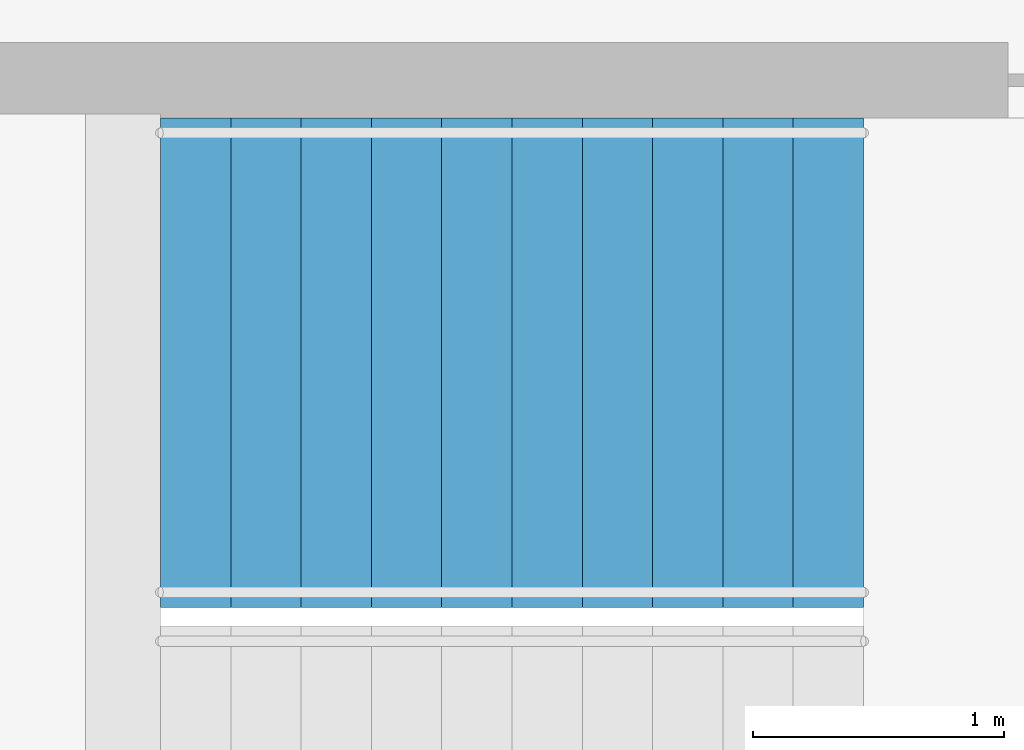
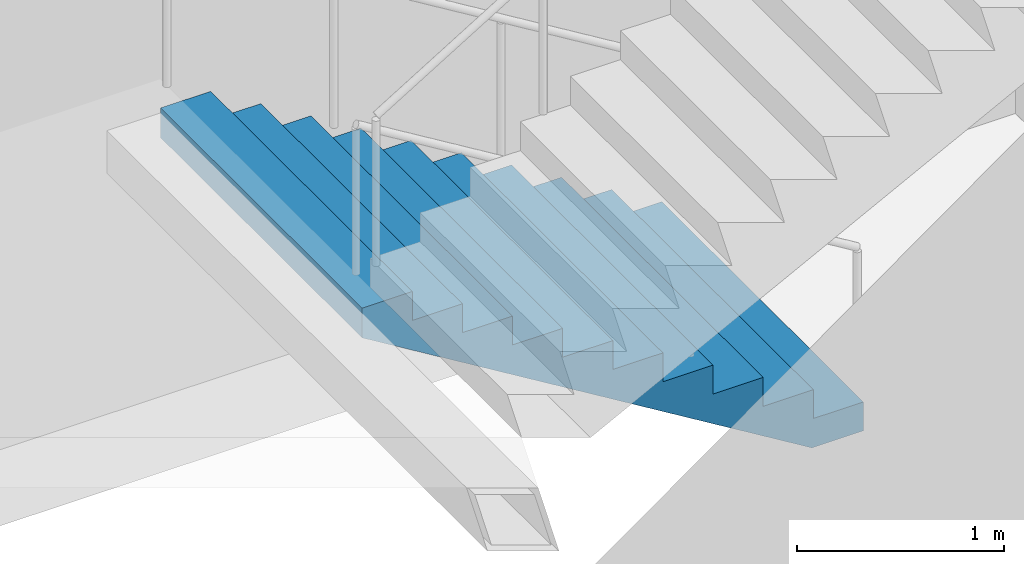
# One storey, part 23 of 25: 1 stair flight, 1 element without a shape of its own.
"""IFC4 building model written with IfcOpenShell, lengths in metres."""

from ifc_helpers import new_model, si_unit, direction, frame, origin, place, context, subcontext, project, spatial, triangles, material, type_object, element, aggregate, save


model = new_model("IFC4")

# Units and contexts
model_context = context("Model", 3, precision=1e-05, world=origin(), true_north=direction((0.0, 1.0)))
body_context = subcontext(model_context, "Body", "Model", "MODEL_VIEW")
ifc_project = project(units=[si_unit("LENGTHUNIT", "METRE"), si_unit("AREAUNIT", "SQUARE_METRE"), si_unit("VOLUMEUNIT", "CUBIC_METRE"), si_unit("PLANEANGLEUNIT", "RADIAN"), si_unit("MASSUNIT", "GRAM", prefix="KILO")], contexts=[model_context])

# Site, building, storey
site_placement = place(None, origin())
site = spatial("IfcSite", under=ifc_project, at=site_placement, CompositionType="ELEMENT")
building_placement = place(site_placement, origin())
building = spatial("IfcBuilding", under=site, at=building_placement, Name="Orbita Commons", CompositionType="ELEMENT")
storey_placement = place(building_placement, frame((0.0, 0.0, 99.39990234375)))
storey = spatial("IfcBuildingStorey", under=building, at=storey_placement, Name="L24", CompositionType="ELEMENT", Elevation=99.39990234375)

# Stair, stair flight
ifc_material_1 = material(Name="Precast concrete C40/50", Category="concrete")
stair_type = type_object("IfcStairType", Name="Exit stair S2 2 flights 11 risers 170", PredefinedType="HALF_TURN_STAIR", material=ifc_material_1)
stair_placement = place(storey_placement, origin())
stair = element("IfcStair", 1, at=stair_placement, inside=storey, type_object=stair_type, Name="Exit stair S2 L24", PredefinedType="HALF_TURN_STAIR")
ifc_material_2 = material(Name="Precast concrete C40/50", Category="concrete")
stair_flight_type = type_object("IfcStairFlightType", Name="Stair flight 11 risers 170 x 280", PredefinedType="STRAIGHT", material=ifc_material_2)
stair_flight_placement = place(storey_placement, frame((63.550048828125, 29.27490234375, 0.0), z_axis=(0.0, 0.0, 1.0), x_axis=(-1.0, 0.0, 0.0)))
stair_flight = element("IfcStairFlight", 2, at=stair_flight_placement, type_object=stair_flight_type, Name="S2 flight 1", NumberOfRisers=11, NumberOfTreads=10, PredefinedType="STRAIGHT", RiserHeight=0.170454545, TreadLength=0.28, context=body_context, shape_type="Tessellation", body=[
    triangles([(0.0, 0.974976, 0.0), (0.0, 0.974976, 0.021307), (0.0, 0.81248, 0.021307), (0.0, 0.81248, 0.0), (0.0, 0.649984, 0.021307), (0.0, 0.649984, 0.0), (0.0, 0.487488, 0.021307), (0.0, 0.487488, 0.0), (0.0, 0.324992, 0.021307), (0.0, 0.324992, 0.0), (0.0, 0.162496, 0.021307), (0.0, 0.162496, 0.0), (0.0, 0.0, 0.021307), (0.0, 0.0, 0.0), (0.0, -0.162496, 0.021307), (0.0, -0.162496, 0.0), (0.0, -0.324992, 0.021307), (0.0, -0.324992, 0.0), (0.0, -0.487488, 0.021307), (0.0, -0.487488, 0.0), (0.0, -0.649984, 0.021307), (0.0, -0.649984, 0.0), (0.0, -0.81248, 0.021307), (0.0, -0.81248, 0.0), (0.0, -0.974976, 0.021307), (0.0, -0.974976, 0.0), (0.0, 0.974976, 0.042614), (0.0, 0.81248, 0.042614), (0.0, 0.649984, 0.042614), (0.0, 0.487488, 0.042614), (0.0, 0.324992, 0.042614), (0.0, 0.162496, 0.042614), (0.0, 0.0, 0.042614), (0.0, -0.162496, 0.042614), (0.0, -0.324992, 0.042614), (0.0, -0.487488, 0.042614), (0.0, -0.649984, 0.042614), (0.0, -0.81248, 0.042614), (0.0, -0.974976, 0.042614), (0.0, 0.974976, 0.06392), (0.0, 0.81248, 0.06392), (0.0, 0.649984, 0.06392), (0.0, 0.487488, 0.06392), (0.0, 0.324992, 0.06392), (0.0, 0.162496, 0.06392), (0.0, 0.0, 0.06392), (0.0, -0.162496, 0.06392), (0.0, -0.324992, 0.06392), (0.0, -0.487488, 0.06392), (0.0, -0.649984, 0.06392), (0.0, -0.81248, 0.06392), (0.0, -0.974976, 0.06392), (0.0, 0.974976, 0.085227), (0.0, 0.81248, 0.085227), (0.0, 0.649984, 0.085227), (0.0, 0.487488, 0.085227), (0.0, 0.324992, 0.085227), (0.0, 0.162496, 0.085227), (0.0, 0.0, 0.085227), (0.0, -0.162496, 0.085227), (0.0, -0.324992, 0.085227), (0.0, -0.487488, 0.085227), (0.0, -0.649984, 0.085227), (0.0, -0.81248, 0.085227), (0.0, -0.974976, 0.085227), (0.0, 0.974976, 0.106534), (0.0, 0.81248, 0.106534), (0.0, 0.649984, 0.106534), (0.0, 0.487488, 0.106534), (0.0, 0.324992, 0.106534), (0.0, 0.162496, 0.106534), (0.0, 0.0, 0.106534), (0.0, -0.162496, 0.106534), (0.0, -0.324992, 0.106534), (0.0, -0.487488, 0.106534), (0.0, -0.649984, 0.106534), (0.0, -0.81248, 0.106534), (0.0, -0.974976, 0.106534), (0.0, 0.974976, 0.127841), (0.0, 0.81248, 0.127841), (0.0, 0.649984, 0.127841), (0.0, 0.487488, 0.127841), (0.0, 0.324992, 0.127841), (0.0, 0.162496, 0.127841), (0.0, 0.0, 0.127841), (0.0, -0.162496, 0.127841), (0.0, -0.324992, 0.127841), (0.0, -0.487488, 0.127841), (0.0, -0.649984, 0.127841), (0.0, -0.81248, 0.127841), (0.0, -0.974976, 0.127841), (0.0, 0.974976, 0.149148), (0.0, 0.81248, 0.149148), (0.0, 0.649984, 0.149148), (0.0, 0.487488, 0.149148), (0.0, 0.324992, 0.149148), (0.0, 0.162496, 0.149148), (0.0, 0.0, 0.149148), (0.0, -0.162496, 0.149148), (0.0, -0.324992, 0.149148), (0.0, -0.487488, 0.149148), (0.0, -0.649984, 0.149148), (0.0, -0.81248, 0.149148), (0.0, -0.974976, 0.149148), (0.0, 0.974976, 0.170455), (0.0, 0.81248, 0.170455), (0.0, 0.649984, 0.170455), (0.0, 0.487488, 0.170455), (0.0, 0.324992, 0.170455), (0.0, 0.162496, 0.170455), (0.0, 0.0, 0.170455), (0.0, -0.162496, 0.170455), (0.0, -0.324992, 0.170455), (0.0, -0.487488, 0.170455), (0.0, -0.649984, 0.170455), (0.0, -0.81248, 0.170455), (0.0, -0.974976, 0.170455), (0.28, 0.974976, 0.170455), (0.28, 0.81248, 0.170455), (0.28, 0.649984, 0.170455), (0.28, 0.487488, 0.170455), (0.28, 0.324992, 0.170455), (0.28, 0.162496, 0.170455), (0.28, 0.0, 0.170455), (0.28, -0.162496, 0.170455), (0.28, -0.324992, 0.170455), (0.28, -0.487488, 0.170455), (0.28, -0.649984, 0.170455), (0.28, -0.81248, 0.170455), (0.28, -0.974976, 0.170455), (0.28, 0.974976, 0.340909), (0.28, 0.81248, 0.340909), (0.28, 0.649984, 0.340909), (0.28, 0.487488, 0.340909), (0.28, 0.324992, 0.340909), (0.28, 0.162496, 0.340909), (0.28, 0.0, 0.340909), (0.28, -0.162496, 0.340909), (0.28, -0.324992, 0.340909), (0.28, -0.487488, 0.340909), (0.28, -0.649984, 0.340909), (0.28, -0.81248, 0.340909), (0.28, -0.974976, 0.340909), (0.56, 0.974976, 0.340909), (0.56, 0.81248, 0.340909), (0.56, 0.649984, 0.340909), (0.56, 0.487488, 0.340909), (0.56, 0.324992, 0.340909), (0.56, 0.162496, 0.340909), (0.56, 0.0, 0.340909), (0.56, -0.162496, 0.340909), (0.56, -0.324992, 0.340909), (0.56, -0.487488, 0.340909), (0.56, -0.649984, 0.340909), (0.56, -0.81248, 0.340909), (0.56, -0.974976, 0.340909), (0.56, 0.974976, 0.511364), (0.56, 0.81248, 0.511364), (0.56, 0.649984, 0.511364), (0.56, 0.487488, 0.511364), (0.56, 0.324992, 0.511364), (0.56, 0.162496, 0.511364), (0.56, 0.0, 0.511364), (0.56, -0.162496, 0.511364), (0.56, -0.324992, 0.511364), (0.56, -0.487488, 0.511364), (0.56, -0.649984, 0.511364), (0.56, -0.81248, 0.511364), (0.56, -0.974976, 0.511364), (0.84, 0.974976, 0.511364), (0.84, 0.81248, 0.511364), (0.84, 0.649984, 0.511364), (0.84, 0.487488, 0.511364), (0.84, 0.324992, 0.511364), (0.84, 0.162496, 0.511364), (0.84, 0.0, 0.511364), (0.84, -0.162496, 0.511364), (0.84, -0.324992, 0.511364), (0.84, -0.487488, 0.511364), (0.84, -0.649984, 0.511364), (0.84, -0.81248, 0.511364), (0.84, -0.974976, 0.511364), (0.84, 0.974976, 0.681818), (0.84, 0.81248, 0.681818), (0.84, 0.649984, 0.681818), (0.84, 0.487488, 0.681818), (0.84, 0.324992, 0.681818), (0.84, 0.162496, 0.681818), (0.84, 0.0, 0.681818), (0.84, -0.162496, 0.681818), (0.84, -0.324992, 0.681818), (0.84, -0.487488, 0.681818), (0.84, -0.649984, 0.681818), (0.84, -0.81248, 0.681818), (0.84, -0.974976, 0.681818), (1.12, 0.974976, 0.681818), (1.12, 0.81248, 0.681818), (1.12, 0.649984, 0.681818), (1.12, 0.487488, 0.681818), (1.12, 0.324992, 0.681818), (1.12, 0.162496, 0.681818), (1.12, 0.0, 0.681818), (1.12, -0.162496, 0.681818), (1.12, -0.324992, 0.681818), (1.12, -0.487488, 0.681818), (1.12, -0.649984, 0.681818), (1.12, -0.81248, 0.681818), (1.12, -0.974976, 0.681818), (1.12, 0.974976, 0.852273), (1.12, 0.81248, 0.852273), (1.12, 0.649984, 0.852273), (1.12, 0.487488, 0.852273), (1.12, 0.324992, 0.852273), (1.12, 0.162496, 0.852273), (1.12, 0.0, 0.852273), (1.12, -0.162496, 0.852273), (1.12, -0.324992, 0.852273), (1.12, -0.487488, 0.852273), (1.12, -0.649984, 0.852273), (1.12, -0.81248, 0.852273), (1.12, -0.974976, 0.852273), (1.4, 0.974976, 0.852273), (1.4, 0.81248, 0.852273), (1.4, 0.649984, 0.852273), (1.4, 0.487488, 0.852273), (1.4, 0.324992, 0.852273), (1.4, 0.162496, 0.852273), (1.4, 0.0, 0.852273), (1.4, -0.162496, 0.852273), (1.4, -0.324992, 0.852273), (1.4, -0.487488, 0.852273), (1.4, -0.649984, 0.852273), (1.4, -0.81248, 0.852273), (1.4, -0.974976, 0.852273), (1.4, 0.974976, 1.022727), (1.4, 0.81248, 1.022727), (1.4, 0.649984, 1.022727), (1.4, 0.487488, 1.022727), (1.4, 0.324992, 1.022727), (1.4, 0.162496, 1.022727), (1.4, 0.0, 1.022727), (1.4, -0.162496, 1.022727), (1.4, -0.324992, 1.022727), (1.4, -0.487488, 1.022727), (1.4, -0.649984, 1.022727), (1.4, -0.81248, 1.022727), (1.4, -0.974976, 1.022727), (1.68, 0.974976, 1.022727), (1.68, 0.81248, 1.022727), (1.68, 0.649984, 1.022727), (1.68, 0.487488, 1.022727), (1.68, 0.324992, 1.022727), (1.68, 0.162496, 1.022727), (1.68, 0.0, 1.022727), (1.68, -0.162496, 1.022727), (1.68, -0.324992, 1.022727), (1.68, -0.487488, 1.022727), (1.68, -0.649984, 1.022727), (1.68, -0.81248, 1.022727), (1.68, -0.974976, 1.022727), (1.68, 0.974976, 1.193182), (1.68, 0.81248, 1.193182), (1.68, 0.649984, 1.193182), (1.68, 0.487488, 1.193182), (1.68, 0.324992, 1.193182), (1.68, 0.162496, 1.193182), (1.68, 0.0, 1.193182), (1.68, -0.162496, 1.193182), (1.68, -0.324992, 1.193182), (1.68, -0.487488, 1.193182), (1.68, -0.649984, 1.193182), (1.68, -0.81248, 1.193182), (1.68, -0.974976, 1.193182), (1.96, 0.974976, 1.193182), (1.96, 0.81248, 1.193182), (1.96, 0.649984, 1.193182), (1.96, 0.487488, 1.193182), (1.96, 0.324992, 1.193182), (1.96, 0.162496, 1.193182), (1.96, 0.0, 1.193182), (1.96, -0.162496, 1.193182), (1.96, -0.324992, 1.193182), (1.96, -0.487488, 1.193182), (1.96, -0.649984, 1.193182), (1.96, -0.81248, 1.193182), (1.96, -0.974976, 1.193182), (1.96, 0.974976, 1.363636), (1.96, 0.81248, 1.363636), (1.96, 0.649984, 1.363636), (1.96, 0.487488, 1.363636), (1.96, 0.324992, 1.363636), (1.96, 0.162496, 1.363636), (1.96, 0.0, 1.363636), (1.96, -0.162496, 1.363636), (1.96, -0.324992, 1.363636), (1.96, -0.487488, 1.363636), (1.96, -0.649984, 1.363636), (1.96, -0.81248, 1.363636), (1.96, -0.974976, 1.363636), (2.24, 0.974976, 1.363636), (2.24, 0.81248, 1.363636), (2.24, 0.649984, 1.363636), (2.24, 0.487488, 1.363636), (2.24, 0.324992, 1.363636), (2.24, 0.162496, 1.363636), (2.24, 0.0, 1.363636), (2.24, -0.162496, 1.363636), (2.24, -0.324992, 1.363636), (2.24, -0.487488, 1.363636), (2.24, -0.649984, 1.363636), (2.24, -0.81248, 1.363636), (2.24, -0.974976, 1.363636), (2.24, 0.974976, 1.534091), (2.24, 0.81248, 1.534091), (2.24, 0.649984, 1.534091), (2.24, 0.487488, 1.534091), (2.24, 0.324992, 1.534091), (2.24, 0.162496, 1.534091), (2.24, 0.0, 1.534091), (2.24, -0.162496, 1.534091), (2.24, -0.324992, 1.534091), (2.24, -0.487488, 1.534091), (2.24, -0.649984, 1.534091), (2.24, -0.81248, 1.534091), (2.24, -0.974976, 1.534091), (2.52, 0.974976, 1.534091), (2.52, 0.81248, 1.534091), (2.52, 0.649984, 1.534091), (2.52, 0.487488, 1.534091), (2.52, 0.324992, 1.534091), (2.52, 0.162496, 1.534091), (2.52, 0.0, 1.534091), (2.52, -0.162496, 1.534091), (2.52, -0.324992, 1.534091), (2.52, -0.487488, 1.534091), (2.52, -0.649984, 1.534091), (2.52, -0.81248, 1.534091), (2.52, -0.974976, 1.534091), (2.52, 0.974976, 1.704545), (2.52, 0.81248, 1.704545), (2.52, 0.649984, 1.704545), (2.52, 0.487488, 1.704545), (2.52, 0.324992, 1.704545), (2.52, 0.162496, 1.704545), (2.52, 0.0, 1.704545), (2.52, -0.162496, 1.704545), (2.52, -0.324992, 1.704545), (2.52, -0.487488, 1.704545), (2.52, -0.649984, 1.704545), (2.52, -0.81248, 1.704545), (2.52, -0.974976, 1.704545), (2.8, 0.974976, 1.704545), (2.8, 0.81248, 1.704545), (2.8, 0.649984, 1.704545), (2.8, 0.487488, 1.704545), (2.8, 0.324992, 1.704545), (2.8, 0.162496, 1.704545), (2.8, 0.0, 1.704545), (2.8, -0.162496, 1.704545), (2.8, -0.324992, 1.704545), (2.8, -0.487488, 1.704545), (2.8, -0.649984, 1.704545), (2.8, -0.81248, 1.704545), (2.8, -0.974976, 1.704545), (2.8, 0.974976, 1.682609), (2.8, 0.81248, 1.682609), (2.8, 0.649984, 1.682609), (2.8, 0.487488, 1.682609), (2.8, 0.324992, 1.682609), (2.8, 0.162496, 1.682609), (2.8, 0.0, 1.682609), (2.8, -0.162496, 1.682609), (2.8, -0.324992, 1.682609), (2.8, -0.487488, 1.682609), (2.8, -0.649984, 1.682609), (2.8, -0.81248, 1.682609), (2.8, -0.974976, 1.682609), (2.8, 0.974976, 1.660672), (2.8, 0.81248, 1.660672), (2.8, 0.649984, 1.660672), (2.8, 0.487488, 1.660672), (2.8, 0.324992, 1.660672), (2.8, 0.162496, 1.660672), (2.8, 0.0, 1.660672), (2.8, -0.162496, 1.660672), (2.8, -0.324992, 1.660672), (2.8, -0.487488, 1.660672), (2.8, -0.649984, 1.660672), (2.8, -0.81248, 1.660672), (2.8, -0.974976, 1.660672), (2.8, 0.974976, 1.638735), (2.8, 0.81248, 1.638735), (2.8, 0.649984, 1.638735), (2.8, 0.487488, 1.638735), (2.8, 0.324992, 1.638735), (2.8, 0.162496, 1.638735), (2.8, 0.0, 1.638735), (2.8, -0.162496, 1.638735), (2.8, -0.324992, 1.638735), (2.8, -0.487488, 1.638735), (2.8, -0.649984, 1.638735), (2.8, -0.81248, 1.638735), (2.8, -0.974976, 1.638735), (2.8, 0.974976, 1.616798), (2.8, 0.81248, 1.616798), (2.8, 0.649984, 1.616798), (2.8, 0.487488, 1.616798), (2.8, 0.324992, 1.616798), (2.8, 0.162496, 1.616798), (2.8, 0.0, 1.616798), (2.8, -0.162496, 1.616798), (2.8, -0.324992, 1.616798), (2.8, -0.487488, 1.616798), (2.8, -0.649984, 1.616798), (2.8, -0.81248, 1.616798), (2.8, -0.974976, 1.616798), (2.8, 0.974976, 1.594861), (2.8, 0.81248, 1.594861), (2.8, 0.649984, 1.594861), (2.8, 0.487488, 1.594861), (2.8, 0.324992, 1.594861), (2.8, 0.162496, 1.594861), (2.8, 0.0, 1.594861), (2.8, -0.162496, 1.594861), (2.8, -0.324992, 1.594861), (2.8, -0.487488, 1.594861), (2.8, -0.649984, 1.594861), (2.8, -0.81248, 1.594861), (2.8, -0.974976, 1.594861), (2.8, 0.974976, 1.572925), (2.8, 0.81248, 1.572925), (2.8, 0.649984, 1.572925), (2.8, 0.487488, 1.572925), (2.8, 0.324992, 1.572925), (2.8, 0.162496, 1.572925), (2.8, 0.0, 1.572925), (2.8, -0.162496, 1.572925), (2.8, -0.324992, 1.572925), (2.8, -0.487488, 1.572925), (2.8, -0.649984, 1.572925), (2.8, -0.81248, 1.572925), (2.8, -0.974976, 1.572925), (2.8, 0.974976, 1.550988), (2.8, 0.81248, 1.550988), (2.8, 0.649984, 1.550988), (2.8, 0.487488, 1.550988), (2.8, 0.324992, 1.550988), (2.8, 0.162496, 1.550988), (2.8, 0.0, 1.550988), (2.8, -0.162496, 1.550988), (2.8, -0.324992, 1.550988), (2.8, -0.487488, 1.550988), (2.8, -0.649984, 1.550988), (2.8, -0.81248, 1.550988), (2.8, -0.974976, 1.550988), (2.8, 0.974976, 1.529051), (2.8, 0.81248, 1.529051), (2.8, 0.649984, 1.529051), (2.8, 0.487488, 1.529051), (2.8, 0.324992, 1.529051), (2.8, 0.162496, 1.529051), (2.8, 0.0, 1.529051), (2.8, -0.162496, 1.529051), (2.8, -0.324992, 1.529051), (2.8, -0.487488, 1.529051), (2.8, -0.649984, 1.529051), (2.8, -0.81248, 1.529051), (2.8, -0.974976, 1.529051), (0.288279, 0.974976, 0.0), (0.288279, 0.81248, 0.0), (0.288279, 0.649984, 0.0), (0.288279, 0.487488, 0.0), (0.288279, 0.324992, 0.0), (0.288279, 0.162496, 0.0), (0.288279, 0.0, 0.0), (0.288279, -0.162496, 0.0), (0.288279, -0.324992, 0.0), (0.288279, -0.487488, 0.0), (0.288279, -0.649984, 0.0), (0.288279, -0.81248, 0.0), (0.288279, -0.974976, 0.0)], [[3, 2, 1], [4, 3, 1], [5, 3, 4], [6, 5, 4], [7, 5, 6], [8, 7, 6], [9, 7, 8], [10, 9, 8], [11, 9, 10], [12, 11, 10], [13, 11, 12], [14, 13, 12], [15, 13, 14], [16, 15, 14], [17, 15, 16], [18, 17, 16], [19, 17, 18], [20, 19, 18], [21, 19, 20], [22, 21, 20], [23, 21, 22], [24, 23, 22], [25, 23, 24], [26, 25, 24], [28, 27, 2], [3, 28, 2], [29, 28, 3], [5, 29, 3], [30, 29, 5], [7, 30, 5], [31, 30, 7], [9, 31, 7], [32, 31, 9], [11, 32, 9], [33, 32, 11], [13, 33, 11], [34, 33, 13], [15, 34, 13], [35, 34, 15], [17, 35, 15], [36, 35, 17], [19, 36, 17], [37, 36, 19], [21, 37, 19], [38, 37, 21], [23, 38, 21], [39, 38, 23], [25, 39, 23], [41, 40, 27], [28, 41, 27], [42, 41, 28], [29, 42, 28], [43, 42, 29], [30, 43, 29], [44, 43, 30], [31, 44, 30], [45, 44, 31], [32, 45, 31], [46, 45, 32], [33, 46, 32], [47, 46, 33], [34, 47, 33], [48, 47, 34], [35, 48, 34], [49, 48, 35], [36, 49, 35], [50, 49, 36], [37, 50, 36], [51, 50, 37], [38, 51, 37], [52, 51, 38], [39, 52, 38], [54, 53, 40], [41, 54, 40], [55, 54, 41], [42, 55, 41], [56, 55, 42], [43, 56, 42], [57, 56, 43], [44, 57, 43], [58, 57, 44], [45, 58, 44], [59, 58, 45], [46, 59, 45], [60, 59, 46], [47, 60, 46], [61, 60, 47], [48, 61, 47], [62, 61, 48], [49, 62, 48], [63, 62, 49], [50, 63, 49], [64, 63, 50], [51, 64, 50], [65, 64, 51], [52, 65, 51], [67, 66, 53], [54, 67, 53], [68, 67, 54], [55, 68, 54], [69, 68, 55], [56, 69, 55], [70, 69, 56], [57, 70, 56], [71, 70, 57], [58, 71, 57], [72, 71, 58], [59, 72, 58], [73, 72, 59], [60, 73, 59], [74, 73, 60], [61, 74, 60], [75, 74, 61], [62, 75, 61], [76, 75, 62], [63, 76, 62], [77, 76, 63], [64, 77, 63], [78, 77, 64], [65, 78, 64], [80, 79, 66], [67, 80, 66], [81, 80, 67], [68, 81, 67], [82, 81, 68], [69, 82, 68], [83, 82, 69], [70, 83, 69], [84, 83, 70], [71, 84, 70], [85, 84, 71], [72, 85, 71], [86, 85, 72], [73, 86, 72], [87, 86, 73], [74, 87, 73], [88, 87, 74], [75, 88, 74], [89, 88, 75], [76, 89, 75], [90, 89, 76], [77, 90, 76], [91, 90, 77], [78, 91, 77], [93, 92, 79], [80, 93, 79], [94, 93, 80], [81, 94, 80], [95, 94, 81], [82, 95, 81], [96, 95, 82], [83, 96, 82], [97, 96, 83], [84, 97, 83], [98, 97, 84], [85, 98, 84], [99, 98, 85], [86, 99, 85], [100, 99, 86], [87, 100, 86], [101, 100, 87], [88, 101, 87], [102, 101, 88], [89, 102, 88], [103, 102, 89], [90, 103, 89], [104, 103, 90], [91, 104, 90], [106, 105, 92], [93, 106, 92], [107, 106, 93], [94, 107, 93], [108, 107, 94], [95, 108, 94], [109, 108, 95], [96, 109, 95], [110, 109, 96], [97, 110, 96], [111, 110, 97], [98, 111, 97], [112, 111, 98], [99, 112, 98], [113, 112, 99], [100, 113, 99], [114, 113, 100], [101, 114, 100], [115, 114, 101], [102, 115, 101], [116, 115, 102], [103, 116, 102], [117, 116, 103], [104, 117, 103], [119, 118, 105], [106, 119, 105], [120, 119, 106], [107, 120, 106], [121, 120, 107], [108, 121, 107], [122, 121, 108], [109, 122, 108], [123, 122, 109], [110, 123, 109], [124, 123, 110], [111, 124, 110], [125, 124, 111], [112, 125, 111], [126, 125, 112], [113, 126, 112], [127, 126, 113], [114, 127, 113], [128, 127, 114], [115, 128, 114], [129, 128, 115], [116, 129, 115], [130, 129, 116], [117, 130, 116], [132, 131, 118], [119, 132, 118], [133, 132, 119], [120, 133, 119], [134, 133, 120], [121, 134, 120], [135, 134, 121], [122, 135, 121], [136, 135, 122], [123, 136, 122], [137, 136, 123], [124, 137, 123], [138, 137, 124], [125, 138, 124], [139, 138, 125], [126, 139, 125], [140, 139, 126], [127, 140, 126], [141, 140, 127], [128, 141, 127], [142, 141, 128], [129, 142, 128], [143, 142, 129], [130, 143, 129], [145, 144, 131], [132, 145, 131], [146, 145, 132], [133, 146, 132], [147, 146, 133], [134, 147, 133], [148, 147, 134], [135, 148, 134], [149, 148, 135], [136, 149, 135], [150, 149, 136], [137, 150, 136], [151, 150, 137], [138, 151, 137], [152, 151, 138], [139, 152, 138], [153, 152, 139], [140, 153, 139], [154, 153, 140], [141, 154, 140], [155, 154, 141], [142, 155, 141], [156, 155, 142], [143, 156, 142], [158, 157, 144], [145, 158, 144], [159, 158, 145], [146, 159, 145], [160, 159, 146], [147, 160, 146], [161, 160, 147], [148, 161, 147], [162, 161, 148], [149, 162, 148], [163, 162, 149], [150, 163, 149], [164, 163, 150], [151, 164, 150], [165, 164, 151], [152, 165, 151], [166, 165, 152], [153, 166, 152], [167, 166, 153], [154, 167, 153], [168, 167, 154], [155, 168, 154], [169, 168, 155], [156, 169, 155], [171, 170, 157], [158, 171, 157], [172, 171, 158], [159, 172, 158], [173, 172, 159], [160, 173, 159], [174, 173, 160], [161, 174, 160], [175, 174, 161], [162, 175, 161], [176, 175, 162], [163, 176, 162], [177, 176, 163], [164, 177, 163], [178, 177, 164], [165, 178, 164], [179, 178, 165], [166, 179, 165], [180, 179, 166], [167, 180, 166], [181, 180, 167], [168, 181, 167], [182, 181, 168], [169, 182, 168], [184, 183, 170], [171, 184, 170], [185, 184, 171], [172, 185, 171], [186, 185, 172], [173, 186, 172], [187, 186, 173], [174, 187, 173], [188, 187, 174], [175, 188, 174], [189, 188, 175], [176, 189, 175], [190, 189, 176], [177, 190, 176], [191, 190, 177], [178, 191, 177], [192, 191, 178], [179, 192, 178], [193, 192, 179], [180, 193, 179], [194, 193, 180], [181, 194, 180], [195, 194, 181], [182, 195, 181], [197, 196, 183], [184, 197, 183], [198, 197, 184], [185, 198, 184], [199, 198, 185], [186, 199, 185], [200, 199, 186], [187, 200, 186], [201, 200, 187], [188, 201, 187], [202, 201, 188], [189, 202, 188], [203, 202, 189], [190, 203, 189], [204, 203, 190], [191, 204, 190], [205, 204, 191], [192, 205, 191], [206, 205, 192], [193, 206, 192], [207, 206, 193], [194, 207, 193], [208, 207, 194], [195, 208, 194], [210, 209, 196], [197, 210, 196], [211, 210, 197], [198, 211, 197], [212, 211, 198], [199, 212, 198], [213, 212, 199], [200, 213, 199], [214, 213, 200], [201, 214, 200], [215, 214, 201], [202, 215, 201], [216, 215, 202], [203, 216, 202], [217, 216, 203], [204, 217, 203], [218, 217, 204], [205, 218, 204], [219, 218, 205], [206, 219, 205], [220, 219, 206], [207, 220, 206], [221, 220, 207], [208, 221, 207], [223, 222, 209], [210, 223, 209], [224, 223, 210], [211, 224, 210], [225, 224, 211], [212, 225, 211], [226, 225, 212], [213, 226, 212], [227, 226, 213], [214, 227, 213], [228, 227, 214], [215, 228, 214], [229, 228, 215], [216, 229, 215], [230, 229, 216], [217, 230, 216], [231, 230, 217], [218, 231, 217], [232, 231, 218], [219, 232, 218], [233, 232, 219], [220, 233, 219], [234, 233, 220], [221, 234, 220], [236, 235, 222], [223, 236, 222], [237, 236, 223], [224, 237, 223], [238, 237, 224], [225, 238, 224], [239, 238, 225], [226, 239, 225], [240, 239, 226], [227, 240, 226], [241, 240, 227], [228, 241, 227], [242, 241, 228], [229, 242, 228], [243, 242, 229], [230, 243, 229], [244, 243, 230], [231, 244, 230], [245, 244, 231], [232, 245, 231], [246, 245, 232], [233, 246, 232], [247, 246, 233], [234, 247, 233], [249, 248, 235], [236, 249, 235], [250, 249, 236], [237, 250, 236], [251, 250, 237], [238, 251, 237], [252, 251, 238], [239, 252, 238], [253, 252, 239], [240, 253, 239], [254, 253, 240], [241, 254, 240], [255, 254, 241], [242, 255, 241], [256, 255, 242], [243, 256, 242], [257, 256, 243], [244, 257, 243], [258, 257, 244], [245, 258, 244], [259, 258, 245], [246, 259, 245], [260, 259, 246], [247, 260, 246], [262, 261, 248], [249, 262, 248], [263, 262, 249], [250, 263, 249], [264, 263, 250], [251, 264, 250], [265, 264, 251], [252, 265, 251], [266, 265, 252], [253, 266, 252], [267, 266, 253], [254, 267, 253], [268, 267, 254], [255, 268, 254], [269, 268, 255], [256, 269, 255], [270, 269, 256], [257, 270, 256], [271, 270, 257], [258, 271, 257], [272, 271, 258], [259, 272, 258], [273, 272, 259], [260, 273, 259], [275, 274, 261], [262, 275, 261], [276, 275, 262], [263, 276, 262], [277, 276, 263], [264, 277, 263], [278, 277, 264], [265, 278, 264], [279, 278, 265], [266, 279, 265], [280, 279, 266], [267, 280, 266], [281, 280, 267], [268, 281, 267], [282, 281, 268], [269, 282, 268], [283, 282, 269], [270, 283, 269], [284, 283, 270], [271, 284, 270], [285, 284, 271], [272, 285, 271], [286, 285, 272], [273, 286, 272], [288, 287, 274], [275, 288, 274], [289, 288, 275], [276, 289, 275], [290, 289, 276], [277, 290, 276], [291, 290, 277], [278, 291, 277], [292, 291, 278], [279, 292, 278], [293, 292, 279], [280, 293, 279], [294, 293, 280], [281, 294, 280], [295, 294, 281], [282, 295, 281], [296, 295, 282], [283, 296, 282], [297, 296, 283], [284, 297, 283], [298, 297, 284], [285, 298, 284], [299, 298, 285], [286, 299, 285], [301, 300, 287], [288, 301, 287], [302, 301, 288], [289, 302, 288], [303, 302, 289], [290, 303, 289], [304, 303, 290], [291, 304, 290], [305, 304, 291], [292, 305, 291], [306, 305, 292], [293, 306, 292], [307, 306, 293], [294, 307, 293], [308, 307, 294], [295, 308, 294], [309, 308, 295], [296, 309, 295], [310, 309, 296], [297, 310, 296], [311, 310, 297], [298, 311, 297], [312, 311, 298], [299, 312, 298], [314, 313, 300], [301, 314, 300], [315, 314, 301], [302, 315, 301], [316, 315, 302], [303, 316, 302], [317, 316, 303], [304, 317, 303], [318, 317, 304], [305, 318, 304], [319, 318, 305], [306, 319, 305], [320, 319, 306], [307, 320, 306], [321, 320, 307], [308, 321, 307], [322, 321, 308], [309, 322, 308], [323, 322, 309], [310, 323, 309], [324, 323, 310], [311, 324, 310], [325, 324, 311], [312, 325, 311], [327, 326, 313], [314, 327, 313], [328, 327, 314], [315, 328, 314], [329, 328, 315], [316, 329, 315], [330, 329, 316], [317, 330, 316], [331, 330, 317], [318, 331, 317], [332, 331, 318], [319, 332, 318], [333, 332, 319], [320, 333, 319], [334, 333, 320], [321, 334, 320], [335, 334, 321], [322, 335, 321], [336, 335, 322], [323, 336, 322], [337, 336, 323], [324, 337, 323], [338, 337, 324], [325, 338, 324], [340, 339, 326], [327, 340, 326], [341, 340, 327], [328, 341, 327], [342, 341, 328], [329, 342, 328], [343, 342, 329], [330, 343, 329], [344, 343, 330], [331, 344, 330], [345, 344, 331], [332, 345, 331], [346, 345, 332], [333, 346, 332], [347, 346, 333], [334, 347, 333], [348, 347, 334], [335, 348, 334], [349, 348, 335], [336, 349, 335], [350, 349, 336], [337, 350, 336], [351, 350, 337], [338, 351, 337], [353, 352, 339], [340, 353, 339], [354, 353, 340], [341, 354, 340], [355, 354, 341], [342, 355, 341], [356, 355, 342], [343, 356, 342], [357, 356, 343], [344, 357, 343], [358, 357, 344], [345, 358, 344], [359, 358, 345], [346, 359, 345], [360, 359, 346], [347, 360, 346], [361, 360, 347], [348, 361, 347], [362, 361, 348], [349, 362, 348], [363, 362, 349], [350, 363, 349], [364, 363, 350], [351, 364, 350], [366, 365, 352], [353, 366, 352], [367, 366, 353], [354, 367, 353], [368, 367, 354], [355, 368, 354], [369, 368, 355], [356, 369, 355], [370, 369, 356], [357, 370, 356], [371, 370, 357], [358, 371, 357], [372, 371, 358], [359, 372, 358], [373, 372, 359], [360, 373, 359], [374, 373, 360], [361, 374, 360], [375, 374, 361], [362, 375, 361], [376, 375, 362], [363, 376, 362], [377, 376, 363], [364, 377, 363], [379, 378, 365], [366, 379, 365], [380, 379, 366], [367, 380, 366], [381, 380, 367], [368, 381, 367], [382, 381, 368], [369, 382, 368], [383, 382, 369], [370, 383, 369], [384, 383, 370], [371, 384, 370], [385, 384, 371], [372, 385, 371], [386, 385, 372], [373, 386, 372], [387, 386, 373], [374, 387, 373], [388, 387, 374], [375, 388, 374], [389, 388, 375], [376, 389, 375], [390, 389, 376], [377, 390, 376], [392, 391, 378], [379, 392, 378], [393, 392, 379], [380, 393, 379], [394, 393, 380], [381, 394, 380], [395, 394, 381], [382, 395, 381], [396, 395, 382], [383, 396, 382], [397, 396, 383], [384, 397, 383], [398, 397, 384], [385, 398, 384], [399, 398, 385], [386, 399, 385], [400, 399, 386], [387, 400, 386], [401, 400, 387], [388, 401, 387], [402, 401, 388], [389, 402, 388], [403, 402, 389], [390, 403, 389], [405, 404, 391], [392, 405, 391], [406, 405, 392], [393, 406, 392], [407, 406, 393], [394, 407, 393], [408, 407, 394], [395, 408, 394], [409, 408, 395], [396, 409, 395], [410, 409, 396], [397, 410, 396], [411, 410, 397], [398, 411, 397], [412, 411, 398], [399, 412, 398], [413, 412, 399], [400, 413, 399], [414, 413, 400], [401, 414, 400], [415, 414, 401], [402, 415, 401], [416, 415, 402], [403, 416, 402], [418, 417, 404], [405, 418, 404], [419, 418, 405], [406, 419, 405], [420, 419, 406], [407, 420, 406], [421, 420, 407], [408, 421, 407], [422, 421, 408], [409, 422, 408], [423, 422, 409], [410, 423, 409], [424, 423, 410], [411, 424, 410], [425, 424, 411], [412, 425, 411], [426, 425, 412], [413, 426, 412], [427, 426, 413], [414, 427, 413], [428, 427, 414], [415, 428, 414], [429, 428, 415], [416, 429, 415], [431, 430, 417], [418, 431, 417], [432, 431, 418], [419, 432, 418], [433, 432, 419], [420, 433, 419], [434, 433, 420], [421, 434, 420], [435, 434, 421], [422, 435, 421], [436, 435, 422], [423, 436, 422], [437, 436, 423], [424, 437, 423], [438, 437, 424], [425, 438, 424], [439, 438, 425], [426, 439, 425], [440, 439, 426], [427, 440, 426], [441, 440, 427], [428, 441, 427], [442, 441, 428], [429, 442, 428], [444, 443, 430], [431, 444, 430], [445, 444, 431], [432, 445, 431], [446, 445, 432], [433, 446, 432], [447, 446, 433], [434, 447, 433], [448, 447, 434], [435, 448, 434], [449, 448, 435], [436, 449, 435], [450, 449, 436], [437, 450, 436], [451, 450, 437], [438, 451, 437], [452, 451, 438], [439, 452, 438], [453, 452, 439], [440, 453, 439], [454, 453, 440], [441, 454, 440], [455, 454, 441], [442, 455, 441], [457, 456, 443], [444, 457, 443], [458, 457, 444], [445, 458, 444], [459, 458, 445], [446, 459, 445], [460, 459, 446], [447, 460, 446], [461, 460, 447], [448, 461, 447], [462, 461, 448], [449, 462, 448], [463, 462, 449], [450, 463, 449], [464, 463, 450], [451, 464, 450], [465, 464, 451], [452, 465, 451], [466, 465, 452], [453, 466, 452], [467, 466, 453], [454, 467, 453], [468, 467, 454], [455, 468, 454], [470, 469, 456], [457, 470, 456], [471, 470, 457], [458, 471, 457], [472, 471, 458], [459, 472, 458], [473, 472, 459], [460, 473, 459], [474, 473, 460], [461, 474, 460], [475, 474, 461], [462, 475, 461], [476, 475, 462], [463, 476, 462], [477, 476, 463], [464, 477, 463], [478, 477, 464], [465, 478, 464], [479, 478, 465], [466, 479, 465], [480, 479, 466], [467, 480, 466], [481, 480, 467], [468, 481, 467], [4, 1, 469], [470, 4, 469], [6, 4, 470], [471, 6, 470], [8, 6, 471], [472, 8, 471], [10, 8, 472], [473, 10, 472], [12, 10, 473], [474, 12, 473], [14, 12, 474], [475, 14, 474], [16, 14, 475], [476, 16, 475], [18, 16, 476], [477, 18, 476], [20, 18, 477], [478, 20, 477], [22, 20, 478], [479, 22, 478], [24, 22, 479], [480, 24, 479], [26, 24, 480], [481, 26, 480], [456, 469, 1], [26, 481, 468], [443, 456, 1], [26, 468, 455], [430, 443, 1], [26, 455, 442], [417, 430, 1], [26, 442, 429], [404, 417, 1], [26, 429, 416], [391, 404, 1], [26, 416, 403], [378, 391, 1], [26, 403, 390], [365, 378, 1], [26, 390, 377], [339, 352, 365], [377, 364, 351], [326, 339, 365], [377, 351, 338], [300, 313, 326], [338, 325, 312], [300, 326, 365], [377, 338, 312], [274, 287, 300], [312, 299, 286], [274, 300, 365], [377, 312, 286], [248, 261, 274], [286, 273, 260], [248, 274, 365], [377, 286, 260], [222, 235, 248], [260, 247, 234], [222, 248, 365], [377, 260, 234], [196, 209, 222], [234, 221, 208], [196, 222, 365], [377, 234, 208], [170, 183, 196], [208, 195, 182], [170, 196, 365], [377, 208, 182], [144, 157, 170], [182, 169, 156], [144, 170, 365], [377, 182, 156], [118, 131, 144], [156, 143, 130], [118, 144, 365], [377, 156, 130], [118, 365, 1], [26, 377, 130], [92, 105, 118], [130, 117, 104], [79, 92, 118], [130, 104, 91], [66, 79, 118], [130, 91, 78], [53, 66, 118], [130, 78, 65], [40, 53, 118], [130, 65, 52], [27, 40, 118], [130, 52, 39], [2, 27, 118], [130, 39, 25], [1, 2, 118], [130, 25, 26]], closed=True),
])
aggregate(stair, [stair_flight])

save(model, "model.ifc")
